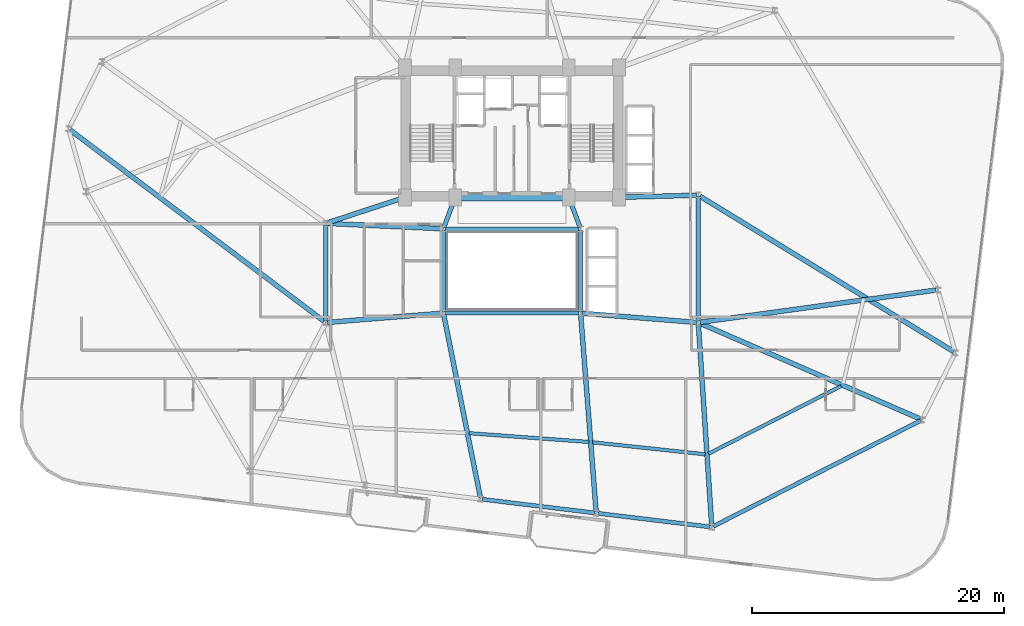
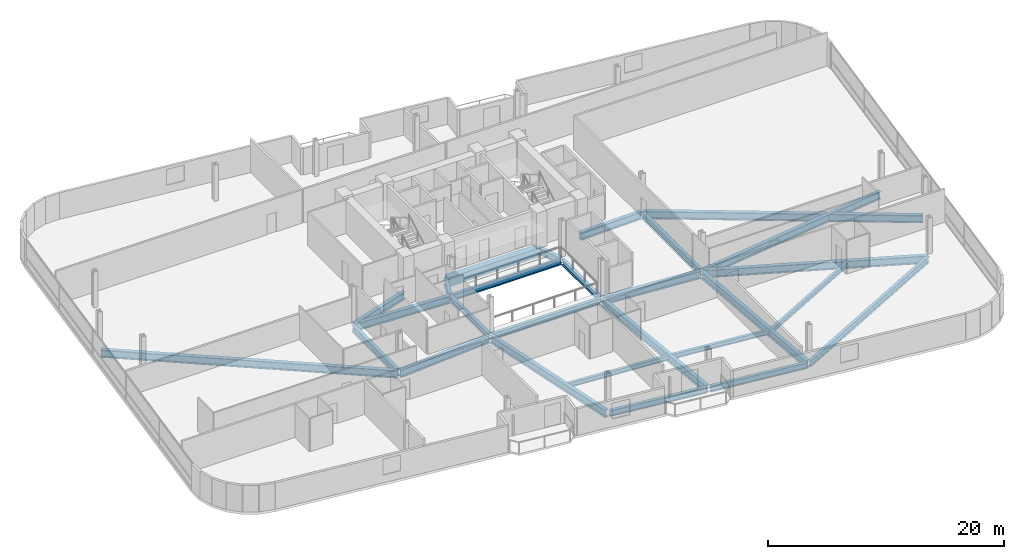
# One storey, part 7 of 25: 27 beams.
"""IFC4 building model written with IfcOpenShell, lengths in metres."""

from ifc_helpers import new_model, si_unit, direction, frame, origin, origin_2d, place, context, subcontext, project, spatial, rectangle, i_section, extrude, material, material_profile, profile_set, type_object, element, save


model = new_model("IFC4")

# Units and contexts
model_context = context("Model", 3, precision=1e-05, world=origin(), true_north=direction((0.0, 1.0)))
body_context = subcontext(model_context, "Body", "Model", "MODEL_VIEW")
ifc_project = project(units=[si_unit("LENGTHUNIT", "METRE"), si_unit("AREAUNIT", "SQUARE_METRE"), si_unit("VOLUMEUNIT", "CUBIC_METRE"), si_unit("PLANEANGLEUNIT", "RADIAN"), si_unit("MASSUNIT", "GRAM", prefix="KILO")], contexts=[model_context])

# Site, building, storey
site_placement = place(None, origin())
site = spatial("IfcSite", under=ifc_project, at=site_placement, CompositionType="ELEMENT")
building_placement = place(site_placement, origin())
building = spatial("IfcBuilding", under=site, at=building_placement, Name="Varnelok Gate Tower", CompositionType="ELEMENT")
storey_placement = place(building_placement, frame((0.0, 0.0, 132.800048828125)))
storey = spatial("IfcBuildingStorey", under=building, at=storey_placement, Name="L33", CompositionType="ELEMENT", Elevation=132.800048828125)

# Beams
ifc_material_1 = material(Name="Structural Steel ASTM A992 Grade 50", Category="steel")
ifc_material_profile_1 = material_profile(ifc_material_1, i_section(OverallWidth=0.280029296875, OverallDepth=0.462890625, WebThickness=0.0107421875, FlangeThickness=0.017333984375, FilletRadius=0.014892578125, at=origin_2d()), Name="W18X76")
ifc_profile_set_1 = profile_set([ifc_material_profile_1], Name="Structural Steel ASTM A992 Grade 50")
beam_type_1 = type_object("IfcBeamType", Name="BM-JST-W18X76", PredefinedType="JOIST", material=ifc_profile_set_1)
beam_1_placement = place(storey_placement, frame((35.7998046875, 10.0068359375, -0.4814453125), z_axis=(0.997322716873, -0.07312590792, 0.0), x_axis=(0.07312590792, 0.997322716873, 0.0)))
element("IfcBeam", 1, at=beam_1_placement, inside=storey, type_object=beam_type_1, Name="L33 Sector Floor Joist 3", PredefinedType="JOIST", context=body_context, shape_type="SweptSolid", body=[
    extrude(i_section(OverallWidth=0.280029296875, OverallDepth=0.462890625, WebThickness=0.0107421875, FlangeThickness=0.017333984375, FilletRadius=0.014892578125, at=origin_2d()), origin(), (0.0, 0.0, 1.0), 9.53857421875),
])
beam_2_placement = place(storey_placement, frame((45.591552734375, 9.2841796875, -0.4814453125), z_axis=(0.994377390367, -0.105894313006, 0.0), x_axis=(0.105894313006, 0.994377390367, 0.0)))
element("IfcBeam", 2, at=beam_2_placement, inside=storey, type_object=beam_type_1, Name="L33 Sector Floor Joist 4", PredefinedType="JOIST", context=body_context, shape_type="SweptSolid", body=[
    extrude(i_section(OverallWidth=0.280029296875, OverallDepth=0.462890625, WebThickness=0.0107421875, FlangeThickness=0.017333984375, FilletRadius=0.014892578125, at=origin_2d()), origin(), (0.0, 0.0, 1.0), 9.0146484375),
])
beam_3_placement = place(storey_placement, frame((54.819091796875, 8.37841796875, -0.4814453125), z_axis=(0.890730311065, 0.454532191324, 0.0), x_axis=(-0.454532191324, 0.890730311065, 0.0)))
element("IfcBeam", 3, at=beam_3_placement, inside=storey, type_object=beam_type_1, Name="L33 Sector Floor Joist 5", PredefinedType="JOIST", context=body_context, shape_type="SweptSolid", body=[
    extrude(i_section(OverallWidth=0.280029296875, OverallDepth=0.462890625, WebThickness=0.0107421875, FlangeThickness=0.017333984375, FilletRadius=0.014892578125, at=origin_2d()), origin(), (0.0, 0.0, 1.0), 11.82470703125),
])
ifc_material_2 = material(Name="Concrete C60/75", Category="concrete")
ifc_material_profile_2 = material_profile(ifc_material_2, rectangle(XDim=0.60009765625, YDim=0.949951171875, at=origin_2d()), Name="RC950X600")
ifc_profile_set_2 = profile_set([ifc_material_profile_2], Name="Concrete C60/75")
beam_type_2 = type_object("IfcBeamType", Name="BM-LNT-RC950", PredefinedType="LINTEL", material=ifc_profile_set_2)
beam_4_placement = place(storey_placement, frame((34.800048828125, 28.75, -0.72509765625), z_axis=(1.0, 0.0, 0.0), x_axis=(0.0, 1.0, 0.0)))
element("IfcBeam", 4, at=beam_4_placement, inside=storey, type_object=beam_type_2, Name="L33 Core-Atrium Spine Beam 7", PredefinedType="LINTEL", context=body_context, shape_type="SweptSolid", body=[
    extrude(rectangle(XDim=0.60009765625, YDim=0.949951171875, at=origin_2d()), origin(), (0.0, 0.0, 1.0), 8.800048828125),
])
ifc_material_profile_3 = material_profile(ifc_material_1, i_section(OverallWidth=0.35498046875, OverallDepth=0.696044921875, WebThickness=0.015380859375, FlangeThickness=0.02490234375, FilletRadius=0.02001953125, at=origin_2d()), Name="W27X146")
ifc_profile_set_3 = profile_set([ifc_material_profile_3], Name="Structural Steel ASTM A992 Grade 50")
beam_type_3 = type_object("IfcBeamType", Name="BM-PRI-W27X146", PredefinedType="BEAM", material=ifc_profile_set_3)
for number, where, z_axis, x_axis, name in (
    (5, (33.791748046875, 26.362548828125, -0.59814453125), (0.348719329408, 0.937227202602, 0.0), (-0.937227202602, 0.348719329408, 0.0), "L33 Core-Atrium Spine Beam 12"),
    (6, (44.608154296875, 26.362548828125, -0.59814453125), (-0.348719329408, 0.937227202602, 0.0), (-0.937227202602, -0.348719329408, 0.0), "L33 Core-Atrium Spine Beam 13"),
):
    element("IfcBeam", number, at=place(storey_placement, frame(where, z_axis=z_axis, x_axis=x_axis)), inside=storey, type_object=beam_type_3, Name=name, PredefinedType="BEAM", context=body_context, shape_type="SweptSolid", body=[
        extrude(i_section(OverallWidth=0.35498046875, OverallDepth=0.696044921875, WebThickness=0.015380859375, FlangeThickness=0.02490234375, FilletRadius=0.02001953125, at=origin_2d()), origin(), (0.0, 0.0, 1.0), 2.42724609375),
    ])
beam_5_placement = place(storey_placement, frame((24.39990234375, 18.919921875, -0.59814453125), z_axis=(0.0, 1.0, 0.0), x_axis=(-1.0, 0.0, 0.0)))
element("IfcBeam", 7, at=beam_5_placement, inside=storey, type_object=beam_type_3, Name="L33 Core-Atrium Spine Beam 16", PredefinedType="BEAM", context=body_context, shape_type="SweptSolid", body=[
    extrude(i_section(OverallWidth=0.35498046875, OverallDepth=0.696044921875, WebThickness=0.015380859375, FlangeThickness=0.02490234375, FilletRadius=0.02001953125, at=origin_2d()), origin(), (0.0, 0.0, 1.0), 7.64013671875),
])
beam_6_placement = place(storey_placement, frame((54.0, 18.919921875, -0.59814453125), z_axis=(0.0, 1.0, 0.0), x_axis=(-1.0, 0.0, 0.0)))
element("IfcBeam", 8, at=beam_6_placement, inside=storey, type_object=beam_type_3, Name="L33 Core-Atrium Spine Beam 20", PredefinedType="BEAM", context=body_context, shape_type="SweptSolid", body=[
    extrude(i_section(OverallWidth=0.35498046875, OverallDepth=0.696044921875, WebThickness=0.015380859375, FlangeThickness=0.02490234375, FilletRadius=0.02001953125, at=origin_2d()), origin(), (0.0, 0.0, 1.0), 9.880126953125),
])
ifc_material_profile_4 = material_profile(ifc_material_1, i_section(OverallWidth=0.381103515625, OverallDepth=0.77294921875, WebThickness=0.0166015625, FlangeThickness=0.027099609375, FilletRadius=0.02197265625, at=origin_2d()), Name="W30X173")
ifc_profile_set_4 = profile_set([ifc_material_profile_4], Name="Structural Steel ASTM A992 Grade 50")
beam_type_4 = type_object("IfcBeamType", Name="BM-PRI-W30X173", PredefinedType="BEAM", material=ifc_profile_set_4)
beam_7_placement = place(storey_placement, frame((24.51953125, 18.8095703125, -0.636474609375), z_axis=(0.996799206292, 0.07994587128, 0.0), x_axis=(-0.07994587128, 0.996799206292, 0.0)))
element("IfcBeam", 9, at=beam_7_placement, inside=storey, type_object=beam_type_4, Name="L33 Core-Atrium Spine Beam 14", PredefinedType="BEAM", context=body_context, shape_type="SweptSolid", body=[
    extrude(i_section(OverallWidth=0.381103515625, OverallDepth=0.77294921875, WebThickness=0.0166015625, FlangeThickness=0.027099609375, FilletRadius=0.02197265625, at=origin_2d()), origin(), (0.0, 0.0, 1.0), 9.14013671875),
])
beam_8_placement = place(storey_placement, frame((24.52001953125, 26.674560546875, -0.636474609375), z_axis=(0.99894427814, -0.045938319209, 0.0), x_axis=(0.045938319209, 0.99894427814, 0.0)))
element("IfcBeam", 10, at=beam_8_placement, inside=storey, type_object=beam_type_4, Name="L33 Core-Atrium Spine Beam 15", PredefinedType="BEAM", context=body_context, shape_type="SweptSolid", body=[
    extrude(i_section(OverallWidth=0.381103515625, OverallDepth=0.77294921875, WebThickness=0.0166015625, FlangeThickness=0.027099609375, FilletRadius=0.02197265625, at=origin_2d()), origin(), (0.0, 0.0, 1.0), 9.11962890625),
])
beam_9_placement = place(storey_placement, frame((24.513916015625, 26.717529296875, -0.636474609375), z_axis=(0.950041943788, 0.312122259768, 0.0), x_axis=(-0.312122259768, 0.950041943788, 0.0)))
element("IfcBeam", 11, at=beam_9_placement, inside=storey, type_object=beam_type_4, Name="L33 Core-Atrium Spine Beam 17", PredefinedType="BEAM", context=body_context, shape_type="SweptSolid", body=[
    extrude(i_section(OverallWidth=0.381103515625, OverallDepth=0.77294921875, WebThickness=0.0166015625, FlangeThickness=0.027099609375, FilletRadius=0.02197265625, at=origin_2d()), origin(), (0.0, 0.0, 1.0), 6.391357421875),
])
beam_10_placement = place(storey_placement, frame((44.76953125, 19.540283203125, -0.636474609375), z_axis=(0.996799206292, -0.07994587128, 0.0), x_axis=(0.07994587128, 0.996799206292, 0.0)))
element("IfcBeam", 12, at=beam_10_placement, inside=storey, type_object=beam_type_4, Name="L33 Core-Atrium Spine Beam 18", PredefinedType="BEAM", context=body_context, shape_type="SweptSolid", body=[
    extrude(i_section(OverallWidth=0.381103515625, OverallDepth=0.77294921875, WebThickness=0.0166015625, FlangeThickness=0.027099609375, FilletRadius=0.02197265625, at=origin_2d()), origin(), (0.0, 0.0, 1.0), 9.14013671875),
])
beam_11_placement = place(storey_placement, frame((47.820068359375, 28.753173828125, -0.636474609375), z_axis=(0.999635880609, 0.026983443053, 0.0), x_axis=(-0.026983443053, 0.999635880609, 0.0)))
element("IfcBeam", 13, at=beam_11_placement, inside=storey, type_object=beam_type_4, Name="L33 Core-Atrium Spine Beam 19", PredefinedType="BEAM", context=body_context, shape_type="SweptSolid", body=[
    extrude(i_section(OverallWidth=0.381103515625, OverallDepth=0.77294921875, WebThickness=0.0166015625, FlangeThickness=0.027099609375, FilletRadius=0.02197265625, at=origin_2d()), origin(), (0.0, 0.0, 1.0), 6.06201171875),
])
beam_12_placement = place(storey_placement, frame((33.779541015625, 19.40283203125, -0.636474609375), z_axis=(0.1964593524, -0.980511969766, 0.0), x_axis=(0.980511969766, 0.1964593524, 0.0)))
element("IfcBeam", 14, at=beam_12_placement, inside=storey, type_object=beam_type_4, Name="L33 Radial Floor Girder 3", PredefinedType="BEAM", context=body_context, shape_type="SweptSolid", body=[
    extrude(i_section(OverallWidth=0.381103515625, OverallDepth=0.77294921875, WebThickness=0.0166015625, FlangeThickness=0.027099609375, FilletRadius=0.02197265625, at=origin_2d()), origin(), (0.0, 0.0, 1.0), 14.773193359375),
])
beam_13_placement = place(storey_placement, frame((44.66162109375, 19.400390625, -0.636474609375), z_axis=(0.078042805068, -0.996950009066, 0.0), x_axis=(0.996950009066, 0.078042805068, 0.0)))
element("IfcBeam", 15, at=beam_13_placement, inside=storey, type_object=beam_type_4, Name="L33 Radial Floor Girder 4", PredefinedType="BEAM", context=body_context, shape_type="SweptSolid", body=[
    extrude(i_section(OverallWidth=0.381103515625, OverallDepth=0.77294921875, WebThickness=0.0166015625, FlangeThickness=0.027099609375, FilletRadius=0.02197265625, at=origin_2d()), origin(), (0.0, 0.0, 1.0), 15.641357421875),
])
beam_14_placement = place(storey_placement, frame((54.010009765625, 18.650390625, -0.636474609375), z_axis=(0.066089376194, -0.997813707239, 0.0), x_axis=(0.997813707239, 0.066089376194, 0.0)))
element("IfcBeam", 16, at=beam_14_placement, inside=storey, type_object=beam_type_4, Name="L33 Radial Floor Girder 5", PredefinedType="BEAM", context=body_context, shape_type="SweptSolid", body=[
    extrude(i_section(OverallWidth=0.381103515625, OverallDepth=0.77294921875, WebThickness=0.0166015625, FlangeThickness=0.027099609375, FilletRadius=0.02197265625, at=origin_2d()), origin(), (0.0, 0.0, 1.0), 15.99169921875),
])
beam_15_placement = place(storey_placement, frame((54.1376953125, 18.740234375, -0.636474609375), z_axis=(0.917259371715, -0.398290402848, 0.0), x_axis=(0.398290402848, 0.917259371715, 0.0)))
element("IfcBeam", 17, at=beam_15_placement, inside=storey, type_object=beam_type_4, Name="L33 Radial Floor Girder 6", PredefinedType="BEAM", context=body_context, shape_type="SweptSolid", body=[
    extrude(i_section(OverallWidth=0.381103515625, OverallDepth=0.77294921875, WebThickness=0.0166015625, FlangeThickness=0.027099609375, FilletRadius=0.02197265625, at=origin_2d()), origin(), (0.0, 0.0, 1.0), 19.09765625),
])
beam_16_placement = place(storey_placement, frame((54.1279296875, 28.841796875, -0.636474609375), z_axis=(0.852781066678, -0.522268563399, 0.0), x_axis=(0.522268563399, 0.852781066678, 0.0)))
element("IfcBeam", 18, at=beam_16_placement, inside=storey, type_object=beam_type_4, Name="L33 Radial Floor Girder 7", PredefinedType="BEAM", context=body_context, shape_type="SweptSolid", body=[
    extrude(i_section(OverallWidth=0.381103515625, OverallDepth=0.77294921875, WebThickness=0.0166015625, FlangeThickness=0.027099609375, FilletRadius=0.02197265625, at=origin_2d()), origin(), (0.0, 0.0, 1.0), 23.663330078125),
])
beam_17_placement = place(storey_placement, frame((54.148681640625, 18.8203125, -0.636474609375), z_axis=(0.990818465143, 0.135198998265, 0.0), x_axis=(-0.135198998265, 0.990818465143, 0.0)))
element("IfcBeam", 19, at=beam_17_placement, inside=storey, type_object=beam_type_4, Name="L33 Radial Floor Girder 8", PredefinedType="BEAM", context=body_context, shape_type="SweptSolid", body=[
    extrude(i_section(OverallWidth=0.381103515625, OverallDepth=0.77294921875, WebThickness=0.0166015625, FlangeThickness=0.027099609375, FilletRadius=0.02197265625, at=origin_2d()), origin(), (0.0, 0.0, 1.0), 18.921142578125),
])
beam_18_placement = place(storey_placement, frame((24.2802734375, 18.890380859375, -0.636474609375), z_axis=(-0.798720202065, 0.601702616591, 0.0), x_axis=(-0.601702616591, -0.798720202065, 0.0)))
element("IfcBeam", 20, at=beam_18_placement, inside=storey, type_object=beam_type_4, Name="L33 Radial Floor Girder 15", PredefinedType="BEAM", context=body_context, shape_type="SweptSolid", body=[
    extrude(i_section(OverallWidth=0.381103515625, OverallDepth=0.77294921875, WebThickness=0.0166015625, FlangeThickness=0.027099609375, FilletRadius=0.02197265625, at=origin_2d()), origin(), (0.0, 0.0, 1.0), 25.285400390625),
])
ifc_material_profile_5 = material_profile(ifc_material_1, i_section(OverallWidth=0.323974609375, OverallDepth=0.611083984375, WebThickness=0.0126953125, FlangeThickness=0.01904296875, FilletRadius=0.01806640625, at=origin_2d()), Name="W24X104")
ifc_profile_set_5 = profile_set([ifc_material_profile_5], Name="Structural Steel ASTM A992 Grade 50")
beam_type_5 = type_object("IfcBeamType", Name="BM-SPN-W24X104", PredefinedType="SPANDREL", material=ifc_profile_set_5)
for number, where, z_axis, x_axis, name in (
    (21, (33.8701171875, 19.550048828125, -0.5556640625), (1.0, 0.0, 0.0), (0.0, 1.0, 0.0), "L33 Core-Atrium Spine Beam 8"),
    (22, (33.8701171875, 26.25, -0.5556640625), (1.0, 0.0, 0.0), (0.0, 1.0, 0.0), "L33 Core-Atrium Spine Beam 9"),
):
    element("IfcBeam", number, at=place(storey_placement, frame(where, z_axis=z_axis, x_axis=x_axis)), inside=storey, type_object=beam_type_5, Name=name, PredefinedType="SPANDREL", context=body_context, shape_type="SweptSolid", body=[
        extrude(i_section(OverallWidth=0.323974609375, OverallDepth=0.611083984375, WebThickness=0.0126953125, FlangeThickness=0.01904296875, FilletRadius=0.01806640625, at=origin_2d()), origin(), (0.0, 0.0, 1.0), 10.659912109375),
    ])
for number, where, z_axis, x_axis, name in (
    (23, (33.75, 19.669921875, -0.5556640625), (0.0, 1.0, 0.0), (-1.0, 0.0, 0.0), "L33 Core-Atrium Spine Beam 10"),
    (24, (44.64990234375, 19.669921875, -0.5556640625), (0.0, 1.0, 0.0), (-1.0, 0.0, 0.0), "L33 Core-Atrium Spine Beam 11"),
):
    element("IfcBeam", number, at=place(storey_placement, frame(where, z_axis=z_axis, x_axis=x_axis)), inside=storey, type_object=beam_type_5, Name=name, PredefinedType="SPANDREL", context=body_context, shape_type="SweptSolid", body=[
        extrude(i_section(OverallWidth=0.323974609375, OverallDepth=0.611083984375, WebThickness=0.0126953125, FlangeThickness=0.01904296875, FilletRadius=0.01806640625, at=origin_2d()), origin(), (0.0, 0.0, 1.0), 6.4599609375),
    ])
for number, where, z_axis, x_axis, name in (
    (25, (36.860107421875, 4.752197265625, -0.5556640625), (0.992734670707, -0.120324035735, 0.0), (0.120324035735, 0.992734670707, 0.0), "L33 Perimeter Spandrel Beam 3"),
    (26, (46.04296875, 3.638916015625, -0.5556640625), (0.992734670707, -0.120324035735, 0.0), (0.120324035735, 0.992734670707, 0.0), "L33 Perimeter Spandrel Beam 4"),
):
    element("IfcBeam", number, at=place(storey_placement, frame(where, z_axis=z_axis, x_axis=x_axis)), inside=storey, type_object=beam_type_5, Name=name, PredefinedType="SPANDREL", context=body_context, shape_type="SweptSolid", body=[
        extrude(i_section(OverallWidth=0.323974609375, OverallDepth=0.611083984375, WebThickness=0.0126953125, FlangeThickness=0.01904296875, FilletRadius=0.01806640625, at=origin_2d()), origin(), (0.0, 0.0, 1.0), 8.949951171875),
    ])
beam_19_placement = place(storey_placement, frame((55.21044921875, 2.612060546875, -0.5556640625), z_axis=(0.890721671543, 0.454549121486, 0.0), x_axis=(-0.454549121486, 0.890721671543, 0.0)))
element("IfcBeam", 27, at=beam_19_placement, inside=storey, type_object=beam_type_5, Name="L33 Perimeter Spandrel Beam 5", PredefinedType="SPANDREL", context=body_context, shape_type="SweptSolid", body=[
    extrude(i_section(OverallWidth=0.323974609375, OverallDepth=0.611083984375, WebThickness=0.0126953125, FlangeThickness=0.01904296875, FilletRadius=0.01806640625, at=origin_2d()), origin(), (0.0, 0.0, 1.0), 18.466796875),
])

save(model, "model.ifc")
